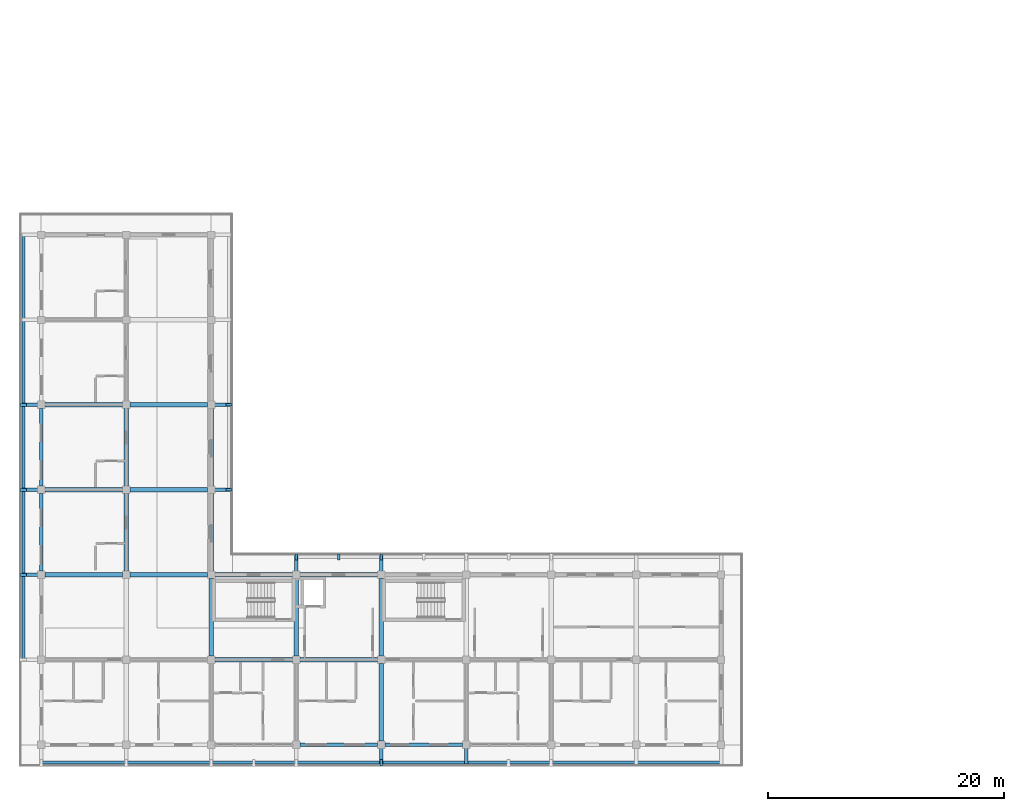
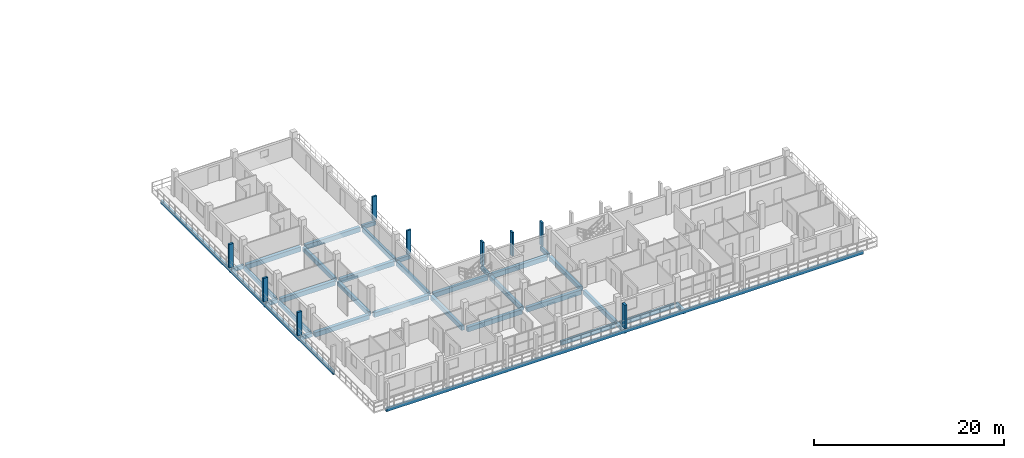
# One storey, part 5 of 76: 33 beams, 9 members.
"""IFC4 building model written with IfcOpenShell, lengths in metres."""

from ifc_helpers import new_model, si_unit, direction, frame, origin, origin_2d, place, context, subcontext, project, spatial, rectangle, extrude, material, material_profile, profile_set, type_object, element, save


model = new_model("IFC4")

# Units and contexts
model_context = context("Model", 3, precision=1e-05, world=origin(), true_north=direction((0.0, 1.0)))
body_context = subcontext(model_context, "Body", "Model", "MODEL_VIEW")
ifc_project = project(units=[si_unit("LENGTHUNIT", "METRE"), si_unit("AREAUNIT", "SQUARE_METRE"), si_unit("VOLUMEUNIT", "CUBIC_METRE"), si_unit("PLANEANGLEUNIT", "RADIAN"), si_unit("MASSUNIT", "GRAM", prefix="KILO")], contexts=[model_context])

# Site, building, storey
site_placement = place(None, origin())
site = spatial("IfcSite", under=ifc_project, at=site_placement, CompositionType="ELEMENT")
building_placement = place(site_placement, origin())
building = spatial("IfcBuilding", under=site, at=building_placement, Name="Suanplinth Sawtooth Commons", CompositionType="ELEMENT")
storey_placement = place(building_placement, frame((0.0, 0.0, 12.199951171875)))
storey = spatial("IfcBuildingStorey", under=building, at=storey_placement, Name="L03", CompositionType="ELEMENT", Elevation=12.199951171875)

# Beams
ifc_material_1 = material(Name="Precast concrete C40/50", Category="concrete")
ifc_material_profile_1 = material_profile(ifc_material_1, rectangle(XDim=0.39990234375, YDim=0.60009765625, at=origin_2d()), Name="PC-GDR 400x600")
ifc_profile_set_1 = profile_set([ifc_material_profile_1], Name="Precast concrete C40/50")
beam_type_1 = type_object("IfcBeamType", Name="B-05", PredefinedType="USERDEFINED", material=ifc_profile_set_1)
for number, where, z_axis, x_axis, name in (
    (1, (0.300048828125, 14.39990234375, -0.5400390625), (1.0, 0.0, 0.0), (0.0, 1.0, 0.0), "BMX-L03-D-0-2"),
    (2, (0.300048828125, 21.60009765625, -0.5400390625), (1.0, 0.0, 0.0), (0.0, 1.0, 0.0), "BMX-L03-D-0-3"),
    (3, (0.300048828125, 28.800048828125, -0.5400390625), (1.0, 0.0, 0.0), (0.0, 1.0, 0.0), "BMX-L03-D-0-4"),
):
    element("IfcBeam", number, at=place(storey_placement, frame(where, z_axis=z_axis, x_axis=x_axis)), inside=storey, type_object=beam_type_1, Name=name, ObjectType="GIRDER", PredefinedType="USERDEFINED", context=body_context, shape_type="SweptSolid", body=[
        extrude(rectangle(XDim=0.39990234375, YDim=0.60009765625, at=origin_2d()), origin(), (0.0, 0.0, 1.0), 6.599853515625),
    ])
for number, where, z_axis, x_axis, name in (
    (4, (7.5, 14.39990234375, -0.5400390625), (1.0, 0.0, 0.0), (0.0, 1.0, 0.0), "BMX-L03-D-1-2"),
    (5, (7.5, 21.60009765625, -0.5400390625), (1.0, 0.0, 0.0), (0.0, 1.0, 0.0), "BMX-L03-D-1-3"),
    (6, (7.5, 28.800048828125, -0.5400390625), (1.0, 0.0, 0.0), (0.0, 1.0, 0.0), "BMX-L03-D-1-4"),
    (7, (14.699951171875, 7.199951171875, -0.5400390625), (1.0, 0.0, 0.0), (0.0, 1.0, 0.0), "BMX-L03-D-2-1"),
    (8, (14.699951171875, 14.39990234375, -0.5400390625), (1.0, 0.0, 0.0), (0.0, 1.0, 0.0), "BMX-L03-D-2-2"),
    (9, (21.89990234375, 7.199951171875, -0.5400390625), (1.0, 0.0, 0.0), (0.0, 1.0, 0.0), "BMX-L03-D-3-1"),
    (10, (21.89990234375, 14.39990234375, -0.5400390625), (1.0, 0.0, 0.0), (0.0, 1.0, 0.0), "BMX-L03-D-3-2"),
):
    element("IfcBeam", number, at=place(storey_placement, frame(where, z_axis=z_axis, x_axis=x_axis)), inside=storey, type_object=beam_type_1, Name=name, ObjectType="GIRDER", PredefinedType="USERDEFINED", context=body_context, shape_type="SweptSolid", body=[
        extrude(rectangle(XDim=0.39990234375, YDim=0.60009765625, at=origin_2d()), origin(), (0.0, 0.0, 1.0), 6.60009765625),
    ])
ifc_material_profile_2 = material_profile(ifc_material_1, rectangle(XDim=0.35009765625, YDim=0.550048828125, at=origin_2d()), Name="PC-BM 350x550")
ifc_profile_set_2 = profile_set([ifc_material_profile_2], Name="Precast concrete C40/50")
beam_type_2 = type_object("IfcBeamType", Name="B-06", PredefinedType="BEAM", material=ifc_profile_set_2)
for number, where, z_axis, x_axis, name in (
    (11, (7.199951171875, 14.699951171875, -0.514892578125), (0.0, 1.0, 0.0), (-1.0, 0.0, 0.0), "BMY-L03-D-1-2"),
    (12, (7.199951171875, 21.89990234375, -0.514892578125), (0.0, 1.0, 0.0), (-1.0, 0.0, 0.0), "BMY-L03-D-1-3"),
    (13, (14.39990234375, 7.5, -0.514892578125), (0.0, 1.0, 0.0), (-1.0, 0.0, 0.0), "BMY-L03-D-2-1"),
    (14, (14.39990234375, 14.699951171875, -0.514892578125), (0.0, 1.0, 0.0), (-1.0, 0.0, 0.0), "BMY-L03-D-2-2"),
    (15, (14.39990234375, 21.89990234375, -0.514892578125), (0.0, 1.0, 0.0), (-1.0, 0.0, 0.0), "BMY-L03-D-2-3"),
    (16, (21.60009765625, 7.5, -0.514892578125), (0.0, 1.0, 0.0), (-1.0, 0.0, 0.0), "BMY-L03-D-3-1"),
):
    element("IfcBeam", number, at=place(storey_placement, frame(where, z_axis=z_axis, x_axis=x_axis)), inside=storey, type_object=beam_type_2, Name=name, PredefinedType="BEAM", context=body_context, shape_type="SweptSolid", body=[
        extrude(rectangle(XDim=0.35009765625, YDim=0.550048828125, at=origin_2d()), origin(), (0.0, 0.0, 1.0), 6.60009765625),
    ])
beam_1_placement = place(storey_placement, frame((28.800048828125, 0.300048828125, -0.514892578125), z_axis=(0.0, 1.0, 0.0), x_axis=(-1.0, 0.0, 0.0)))
element("IfcBeam", 17, at=beam_1_placement, inside=storey, type_object=beam_type_2, Name="BMY-L03-D-4-0", PredefinedType="BEAM", context=body_context, shape_type="SweptSolid", body=[
    extrude(rectangle(XDim=0.35009765625, YDim=0.550048828125, at=origin_2d()), origin(), (0.0, 0.0, 1.0), 6.599853515625),
])
beam_2_placement = place(storey_placement, frame((28.800048828125, 7.5, -0.514892578125), z_axis=(0.0, 1.0, 0.0), x_axis=(-1.0, 0.0, 0.0)))
element("IfcBeam", 18, at=beam_2_placement, inside=storey, type_object=beam_type_2, Name="BMY-L03-D-4-1", PredefinedType="BEAM", context=body_context, shape_type="SweptSolid", body=[
    extrude(rectangle(XDim=0.35009765625, YDim=0.550048828125, at=origin_2d()), origin(), (0.0, 0.0, 1.0), 6.60009765625),
])
ifc_material_profile_3 = material_profile(ifc_material_1, rectangle(XDim=0.300048828125, YDim=0.5, at=origin_2d()), Name="PC-BM 300x500")
ifc_profile_set_3 = profile_set([ifc_material_profile_3], Name="Precast concrete C40/50")
beam_type_3 = type_object("IfcBeamType", Name="B-07", PredefinedType="BEAM", material=ifc_profile_set_3)
for number, where, z_axis, x_axis, name in (
    (19, (28.800048828125, 0.0, -0.429931640625), (0.0, -1.0, 0.0), (1.0, 0.0, 0.0), "Balcony Outrigger L03-D-S-4"),
    (20, (36.0, 0.0, -0.429931640625), (0.0, -1.0, 0.0), (1.0, 0.0, 0.0), "Balcony Outrigger L03-D-S-5"),
    (21, (0.0, 14.39990234375, -0.429931640625), (-1.0, 0.0, 0.0), (0.0, -1.0, 0.0), "Balcony Outrigger L03-D-W-2"),
    (22, (0.0, 21.60009765625, -0.429931640625), (-1.0, 0.0, 0.0), (0.0, -1.0, 0.0), "Balcony Outrigger L03-D-W-3"),
    (23, (0.0, 28.800048828125, -0.429931640625), (-1.0, 0.0, 0.0), (0.0, -1.0, 0.0), "Balcony Outrigger L03-D-W-4"),
):
    element("IfcBeam", number, at=place(storey_placement, frame(where, z_axis=z_axis, x_axis=x_axis)), inside=storey, type_object=beam_type_3, Name=name, PredefinedType="BEAM", context=body_context, shape_type="SweptSolid", body=[
        extrude(rectangle(XDim=0.300048828125, YDim=0.5, at=origin_2d()), origin(), (0.0, 0.0, 1.0), 1.639892578125),
    ])
for number, where, z_axis, x_axis, name in (
    (24, (21.60009765625, 14.39990234375, -0.425048828125), (0.0, 1.0, 0.0), (-1.0, 0.0, 0.0), "Balcony Outrigger L03-D-NC-3"),
    (25, (28.800048828125, 14.39990234375, -0.425048828125), (0.0, 1.0, 0.0), (-1.0, 0.0, 0.0), "Balcony Outrigger L03-D-NC-4"),
    (26, (14.39990234375, 21.60009765625, -0.425048828125), (1.0, 0.0, 0.0), (0.0, 1.0, 0.0), "Balcony Outrigger L03-D-EC-3"),
    (27, (14.39990234375, 28.800048828125, -0.425048828125), (1.0, 0.0, 0.0), (0.0, 1.0, 0.0), "Balcony Outrigger L03-D-EC-4"),
):
    element("IfcBeam", number, at=place(storey_placement, frame(where, z_axis=z_axis, x_axis=x_axis)), inside=storey, type_object=beam_type_3, Name=name, PredefinedType="BEAM", context=body_context, shape_type="SweptSolid", body=[
        extrude(rectangle(XDim=0.300048828125, YDim=0.5, at=origin_2d()), origin(), (0.0, 0.0, 1.0), 1.64013671875),
    ])
ifc_material_profile_4 = material_profile(ifc_material_1, rectangle(XDim=0.280029296875, YDim=0.52001953125, at=origin_2d()), Name="PC-SP 280x520")
ifc_profile_set_4 = profile_set([ifc_material_profile_4], Name="Precast concrete C40/50")
beam_type_4 = type_object("IfcBeamType", Name="B-08", PredefinedType="SPANDREL", material=ifc_profile_set_4)
beam_3_placement = place(storey_placement, frame((21.89990234375, 0.0, -0.5), z_axis=(1.0, 0.0, 0.0), x_axis=(0.0, 1.0, 0.0)))
element("IfcBeam", 28, at=beam_3_placement, inside=storey, type_object=beam_type_4, Name="BMX-L03-D-3-0", PredefinedType="SPANDREL", context=body_context, shape_type="SweptSolid", body=[
    extrude(rectangle(XDim=0.280029296875, YDim=0.52001953125, at=origin_2d()), origin(), (0.0, 0.0, 1.0), 6.60009765625),
])
beam_4_placement = place(storey_placement, frame((29.10009765625, 0.0, -0.5), z_axis=(1.0, 0.0, 0.0), x_axis=(0.0, 1.0, 0.0)))
element("IfcBeam", 29, at=beam_4_placement, inside=storey, type_object=beam_type_4, Name="BMX-L03-D-4-0", PredefinedType="SPANDREL", context=body_context, shape_type="SweptSolid", body=[
    extrude(rectangle(XDim=0.280029296875, YDim=0.52001953125, at=origin_2d()), origin(), (0.0, 0.0, 1.0), 6.599853515625),
])
for number, where, z_axis, x_axis, name in (
    (30, (0.0, 14.699951171875, -0.5), (0.0, 1.0, 0.0), (-1.0, 0.0, 0.0), "BMY-L03-D-0-2"),
    (31, (0.0, 21.89990234375, -0.5), (0.0, 1.0, 0.0), (-1.0, 0.0, 0.0), "BMY-L03-D-0-3"),
):
    element("IfcBeam", number, at=place(storey_placement, frame(where, z_axis=z_axis, x_axis=x_axis)), inside=storey, type_object=beam_type_4, Name=name, PredefinedType="SPANDREL", context=body_context, shape_type="SweptSolid", body=[
        extrude(rectangle(XDim=0.280029296875, YDim=0.52001953125, at=origin_2d()), origin(), (0.0, 0.0, 1.0), 6.60009765625),
    ])
ifc_material_profile_5 = material_profile(ifc_material_1, rectangle(XDim=0.25, YDim=0.449951171875, at=origin_2d()), Name="PC-SP 250x450")
ifc_profile_set_5 = profile_set([ifc_material_profile_5], Name="Precast concrete C40/50")
beam_type_5 = type_object("IfcBeamType", Name="B-09", PredefinedType="SPANDREL", material=ifc_profile_set_5)
beam_5_placement = place(storey_placement, frame((-0.14990234375, -1.52001953125, -0.405029296875), z_axis=(1.0, 0.0, 0.0), x_axis=(0.0, 1.0, 0.0)))
element("IfcBeam", 32, at=beam_5_placement, inside=storey, type_object=beam_type_5, Name="Balcony Edge Fascia L03-D-S", PredefinedType="SPANDREL", context=body_context, shape_type="SweptSolid", body=[
    extrude(rectangle(XDim=0.25, YDim=0.449951171875, at=origin_2d()), origin(), (0.0, 0.0, 1.0), 57.89990234375),
])
beam_6_placement = place(storey_placement, frame((-1.52001953125, 7.050048828125, -0.405029296875), z_axis=(0.0, 1.0, 0.0), x_axis=(-1.0, 0.0, 0.0)))
element("IfcBeam", 33, at=beam_6_placement, inside=storey, type_object=beam_type_5, Name="Balcony Edge Fascia L03-D-W", PredefinedType="SPANDREL", context=body_context, shape_type="SweptSolid", body=[
    extrude(rectangle(XDim=0.25, YDim=0.449951171875, at=origin_2d()), origin(), (0.0, 0.0, 1.0), 36.300048828125),
])

# Members
ifc_material_2 = material(Name="Pigmented precast concrete C40/50", Category="concrete")
ifc_material_profile_6 = material_profile(ifc_material_2, rectangle(XDim=0.25, YDim=0.5400390625, at=origin_2d()), Name="PC-FIN 250x540")
ifc_profile_set_6 = profile_set([ifc_material_profile_6], Name="Pigmented precast concrete C40/50")
member_type_1 = type_object("IfcMemberType", Name="M-11", PredefinedType="USERDEFINED", material=ifc_profile_set_6)
for number, where, z_axis, x_axis, name in (
    (34, (28.800048828125, -1.52001953125, 0.0), (0.0, 0.0, 1.0), (1.0, 0.0, 0.0), "Upright Solar Blade L03-D-S-06"),
    (35, (-1.52001953125, 14.39990234375, 0.0), (0.0, 0.0, 1.0), (0.0, 1.0, 0.0), "Upright Solar Blade L03-D-W-10"),
    (36, (-1.52001953125, 21.60009765625, 0.0), (0.0, 0.0, 1.0), (0.0, 1.0, 0.0), "Upright Solar Blade L03-D-W-11"),
    (37, (-1.52001953125, 28.800048828125, 0.0), (0.0, 0.0, 1.0), (0.0, 1.0, 0.0), "Upright Solar Blade L03-D-W-12"),
):
    element("IfcMember", number, at=place(storey_placement, frame(where, z_axis=z_axis, x_axis=x_axis)), inside=storey, type_object=member_type_1, Name=name, ObjectType="SHADING FIN", PredefinedType="USERDEFINED", context=body_context, shape_type="SweptSolid", body=[
        extrude(rectangle(XDim=0.25, YDim=0.5400390625, at=origin_2d()), origin(), (0.0, 0.0, 1.0), 3.030029296875),
    ])
ifc_material_profile_7 = material_profile(ifc_material_2, rectangle(XDim=0.2099609375, YDim=0.52001953125, at=origin_2d()), Name="PC-FIN 210x520")
ifc_profile_set_7 = profile_set([ifc_material_profile_7], Name="Pigmented precast concrete C40/50")
member_type_2 = type_object("IfcMemberType", Name="M-12", PredefinedType="USERDEFINED", material=ifc_profile_set_7)
for number, where, z_axis, x_axis, name in (
    (38, (21.60009765625, 15.919921875, 0.0), (0.0, 0.0, 1.0), (1.0, 0.0, 0.0), "Upright Solar Blade L03-D-NC-13"),
    (39, (25.199951171875, 15.919921875, 0.0), (0.0, 0.0, 1.0), (1.0, 0.0, 0.0), "Upright Solar Blade L03-D-NC-14"),
    (40, (28.800048828125, 15.919921875, 0.0), (0.0, 0.0, 1.0), (1.0, 0.0, 0.0), "Upright Solar Blade L03-D-NC-15"),
    (41, (15.919921875, 21.60009765625, 0.0), (0.0, 0.0, 1.0), (0.0, 1.0, 0.0), "Upright Solar Blade L03-D-EC-20"),
    (42, (15.919921875, 28.800048828125, 0.0), (0.0, 0.0, 1.0), (0.0, 1.0, 0.0), "Upright Solar Blade L03-D-EC-21"),
):
    element("IfcMember", number, at=place(storey_placement, frame(where, z_axis=z_axis, x_axis=x_axis)), inside=storey, type_object=member_type_2, Name=name, ObjectType="SHADING FIN", PredefinedType="USERDEFINED", context=body_context, shape_type="SweptSolid", body=[
        extrude(rectangle(XDim=0.2099609375, YDim=0.52001953125, at=origin_2d()), origin(), (0.0, 0.0, 1.0), 3.030029296875),
    ])

save(model, "model.ifc")
